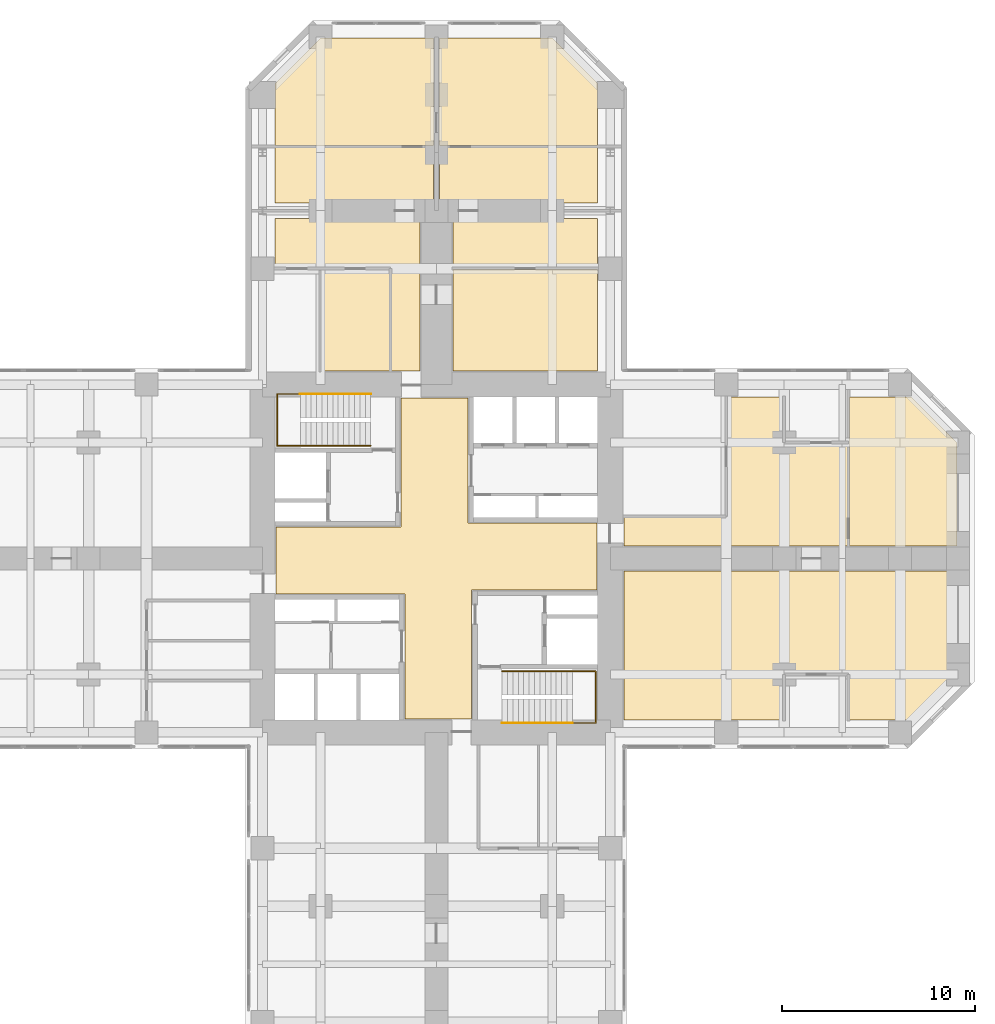
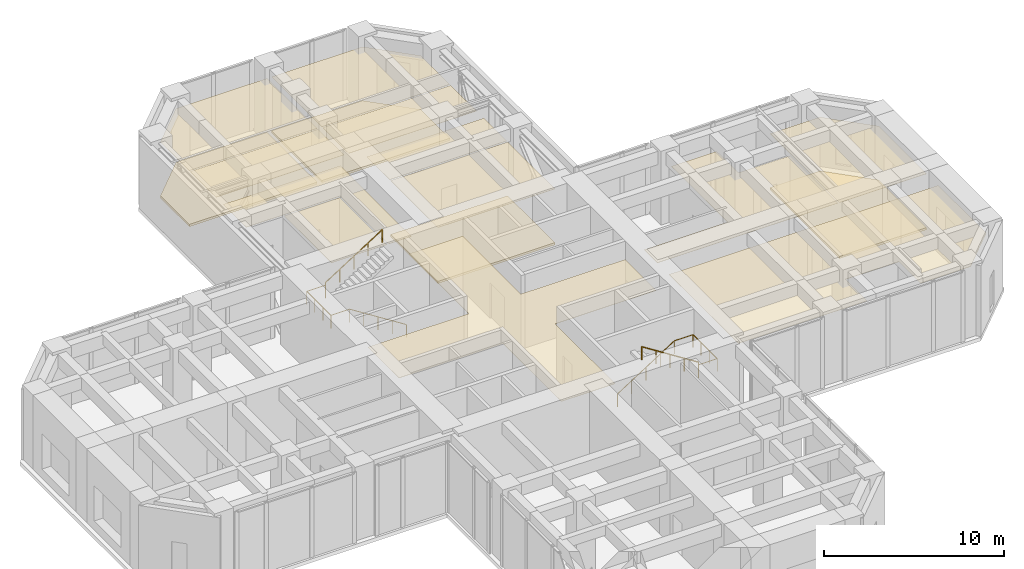
# One storey, part 11 of 11: 16 coverings, 4 railings.
"""IFC4 building model written with IfcOpenShell, lengths in metres."""

from ifc_helpers import new_model, si_unit, direction, frame, origin, origin_2d, place, context, subcontext, project, spatial, polyline, circle, outline, extrude, material, layer, layer_set, constituent, constituent_set, type_object, element, save


model = new_model("IFC4")

# Units and contexts
model_context = context("Model", 3, precision=1e-05, world=origin(), true_north=direction((0.0, 1.0)))
body_context = subcontext(model_context, "Body", "Model", "MODEL_VIEW")
ifc_project = project(units=[si_unit("LENGTHUNIT", "METRE"), si_unit("AREAUNIT", "SQUARE_METRE"), si_unit("VOLUMEUNIT", "CUBIC_METRE"), si_unit("PLANEANGLEUNIT", "RADIAN"), si_unit("MASSUNIT", "GRAM", prefix="KILO")], contexts=[model_context])

# Site, building, storey
site_placement = place(None, origin())
site = spatial("IfcSite", under=ifc_project, at=site_placement, CompositionType="ELEMENT")
building_placement = place(site_placement, origin())
building = spatial("IfcBuilding", under=site, at=building_placement, Name="Torre Cruceta", CompositionType="ELEMENT")
storey_placement = place(building_placement, frame((0.0, 0.0, 95.5)))
storey = spatial("IfcBuildingStorey", under=building, at=storey_placement, Name="L23", CompositionType="ELEMENT", Elevation=95.5)

# Railings
ifc_material_1 = material(Name="Stainless steel 1.4401", Category="steel")
railing_type = type_object("IfcRailingType", Name="HANDRAIL 900", PredefinedType="HANDRAIL", material=ifc_material_1)
railing_1_placement = place(storey_placement, frame((-3.39990234375, 5.8349609375, 0.178466796875)))
element("IfcRailing", 1, at=railing_1_placement, inside=storey, type_object=railing_type, Name="Handrail HR1 ST1 L23", PredefinedType="HANDRAIL", context=body_context, shape_type="SweptSolid", body=[
    extrude(circle(Radius=0.02392578125, at=origin_2d()), frame((0.0, 0.0, 0.8759765625), z_axis=(-0.843127859045, 0.0, 0.537713132908), x_axis=(0.0, -1.0, 0.0)), (0.0, 0.0, 1.0), 4.3173828125),
    extrude(circle(Radius=0.02392578125, at=origin_2d()), frame((-3.64013671875, 0.0, 3.197265625), z_axis=(-1.0, 0.0, 0.0), x_axis=(0.0, -1.0, 0.0)), (0.0, 0.0, 1.0), 1.199951171875),
    extrude(circle(Radius=0.02392578125, at=origin_2d()), frame((-4.840087890625, 0.0, 3.197265625), z_axis=(0.0, 1.0, 0.0), x_axis=(-1.0, 0.0, 0.0)), (0.0, 0.0, 1.0), 2.679931640625),
    extrude(circle(Radius=0.02392578125, at=origin_2d()), frame((-4.840087890625, 2.679931640625, 3.197265625), z_axis=(1.0, 0.0, 0.0), x_axis=(0.0, 1.0, 0.0)), (0.0, 0.0, 1.0), 1.199951171875),
    extrude(circle(Radius=0.02099609375, at=origin_2d()), origin(), (0.0, 0.0, 1.0), 0.851806640625),
    extrude(circle(Radius=0.02099609375, at=origin_2d()), frame((-0.91015625, 0.0, 0.580322265625)), (0.0, 0.0, 1.0), 0.851806640625),
    extrude(circle(Radius=0.02099609375, at=origin_2d()), frame((-1.820068359375, 0.0, 1.16064453125)), (0.0, 0.0, 1.0), 0.851806640625),
    extrude(circle(Radius=0.02099609375, at=origin_2d()), frame((-2.72998046875, 0.0, 1.7412109375)), (0.0, 0.0, 1.0), 0.851806640625),
    extrude(circle(Radius=0.02099609375, at=origin_2d()), frame((-3.64013671875, 0.0, 2.321533203125)), (0.0, 0.0, 1.0), 0.851806640625),
    extrude(circle(Radius=0.02099609375, at=origin_2d()), frame((-4.840087890625, 0.0, 2.321533203125)), (0.0, 0.0, 1.0), 0.851806640625),
    extrude(circle(Radius=0.02099609375, at=origin_2d()), frame((-4.840087890625, 0.893310546875, 2.321533203125)), (0.0, 0.0, 1.0), 0.851806640625),
    extrude(circle(Radius=0.02099609375, at=origin_2d()), frame((-4.840087890625, 1.78662109375, 2.321533203125)), (0.0, 0.0, 1.0), 0.851806640625),
    extrude(circle(Radius=0.02099609375, at=origin_2d()), frame((-4.840087890625, 2.679931640625, 2.321533203125)), (0.0, 0.0, 1.0), 0.851806640625),
    extrude(circle(Radius=0.02099609375, at=origin_2d()), frame((-3.64013671875, 2.679931640625, 2.321533203125)), (0.0, 0.0, 1.0), 0.851806640625),
])
railing_2_placement = place(storey_placement, frame((-7.0400390625, 8.514892578125, 2.678466796875)))
element("IfcRailing", 2, at=railing_2_placement, inside=storey, type_object=railing_type, Name="Handrail HR1 ST1 L23", PredefinedType="HANDRAIL", context=body_context, shape_type="SweptSolid", body=[
    extrude(circle(Radius=0.02392578125, at=origin_2d()), frame((0.0, 0.0, 0.8759765625), z_axis=(0.843127859045, 0.0, 0.537713132908), x_axis=(0.0, 1.0, 0.0)), (0.0, 0.0, 1.0), 4.3173828125),
    extrude(circle(Radius=0.02099609375, at=origin_2d()), origin(), (0.0, 0.0, 1.0), 0.851806640625),
    extrude(circle(Radius=0.02099609375, at=origin_2d()), frame((0.91015625, 0.0, 0.580322265625)), (0.0, 0.0, 1.0), 0.851806640625),
    extrude(circle(Radius=0.02099609375, at=origin_2d()), frame((1.820068359375, 0.0, 1.16064453125)), (0.0, 0.0, 1.0), 0.851806640625),
    extrude(circle(Radius=0.02099609375, at=origin_2d()), frame((2.72998046875, 0.0, 1.7412109375)), (0.0, 0.0, 1.0), 0.851806640625),
    extrude(circle(Radius=0.02099609375, at=origin_2d()), frame((3.64013671875, 0.0, 2.321533203125)), (0.0, 0.0, 1.0), 0.851806640625),
])
railing_3_placement = place(storey_placement, frame((3.39990234375, -5.8349609375, 0.178466796875)))
element("IfcRailing", 3, at=railing_3_placement, inside=storey, type_object=railing_type, Name="Handrail HR1 ST2 L23", PredefinedType="HANDRAIL", context=body_context, shape_type="SweptSolid", body=[
    extrude(circle(Radius=0.02392578125, at=origin_2d()), frame((0.0, 0.0, 0.8759765625), z_axis=(0.843127859045, 0.0, 0.537713132908), x_axis=(0.0, 1.0, 0.0)), (0.0, 0.0, 1.0), 4.3173828125),
    extrude(circle(Radius=0.02392578125, at=origin_2d()), frame((3.64013671875, 0.0, 3.197265625), z_axis=(1.0, 0.0, 0.0), x_axis=(0.0, 1.0, 0.0)), (0.0, 0.0, 1.0), 1.199951171875),
    extrude(circle(Radius=0.02392578125, at=origin_2d()), frame((4.840087890625, 0.0, 3.197265625), z_axis=(0.0, -1.0, 0.0), x_axis=(1.0, 0.0, 0.0)), (0.0, 0.0, 1.0), 2.679931640625),
    extrude(circle(Radius=0.02392578125, at=origin_2d()), frame((4.840087890625, -2.679931640625, 3.197265625), z_axis=(-1.0, 0.0, 0.0), x_axis=(0.0, -1.0, 0.0)), (0.0, 0.0, 1.0), 1.199951171875),
    extrude(circle(Radius=0.02099609375, at=origin_2d()), origin(), (0.0, 0.0, 1.0), 0.851806640625),
    extrude(circle(Radius=0.02099609375, at=origin_2d()), frame((0.91015625, 0.0, 0.580322265625)), (0.0, 0.0, 1.0), 0.851806640625),
    extrude(circle(Radius=0.02099609375, at=origin_2d()), frame((1.820068359375, 0.0, 1.16064453125)), (0.0, 0.0, 1.0), 0.851806640625),
    extrude(circle(Radius=0.02099609375, at=origin_2d()), frame((2.72998046875, 0.0, 1.7412109375)), (0.0, 0.0, 1.0), 0.851806640625),
    extrude(circle(Radius=0.02099609375, at=origin_2d()), frame((3.64013671875, 0.0, 2.321533203125)), (0.0, 0.0, 1.0), 0.851806640625),
    extrude(circle(Radius=0.02099609375, at=origin_2d()), frame((4.840087890625, 0.0, 2.321533203125)), (0.0, 0.0, 1.0), 0.851806640625),
    extrude(circle(Radius=0.02099609375, at=origin_2d()), frame((4.840087890625, -0.893310546875, 2.321533203125)), (0.0, 0.0, 1.0), 0.851806640625),
    extrude(circle(Radius=0.02099609375, at=origin_2d()), frame((4.840087890625, -1.78662109375, 2.321533203125)), (0.0, 0.0, 1.0), 0.851806640625),
    extrude(circle(Radius=0.02099609375, at=origin_2d()), frame((4.840087890625, -2.679931640625, 2.321533203125)), (0.0, 0.0, 1.0), 0.851806640625),
    extrude(circle(Radius=0.02099609375, at=origin_2d()), frame((3.64013671875, -2.679931640625, 2.321533203125)), (0.0, 0.0, 1.0), 0.851806640625),
])
railing_4_placement = place(storey_placement, frame((7.0400390625, -8.514892578125, 2.678466796875)))
element("IfcRailing", 4, at=railing_4_placement, inside=storey, type_object=railing_type, Name="Handrail HR1 ST2 L23", PredefinedType="HANDRAIL", context=body_context, shape_type="SweptSolid", body=[
    extrude(circle(Radius=0.02392578125, at=origin_2d()), frame((0.0, 0.0, 0.8759765625), z_axis=(-0.843127859045, 0.0, 0.537713132908), x_axis=(0.0, -1.0, 0.0)), (0.0, 0.0, 1.0), 4.3173828125),
    extrude(circle(Radius=0.02099609375, at=origin_2d()), origin(), (0.0, 0.0, 1.0), 0.851806640625),
    extrude(circle(Radius=0.02099609375, at=origin_2d()), frame((-0.91015625, 0.0, 0.580322265625)), (0.0, 0.0, 1.0), 0.851806640625),
    extrude(circle(Radius=0.02099609375, at=origin_2d()), frame((-1.820068359375, 0.0, 1.16064453125)), (0.0, 0.0, 1.0), 0.851806640625),
    extrude(circle(Radius=0.02099609375, at=origin_2d()), frame((-2.72998046875, 0.0, 1.7412109375)), (0.0, 0.0, 1.0), 0.851806640625),
    extrude(circle(Radius=0.02099609375, at=origin_2d()), frame((-3.64013671875, 0.0, 2.321533203125)), (0.0, 0.0, 1.0), 0.851806640625),
])

# Coverings
ifc_material_2 = material(Name="Steel DX51D", Category="steel")
ifc_constituent_1 = constituent(ifc_material_2, Name="Panel casing")
ifc_material_3 = material(Name="Calcium sulphate", Category="gypsum")
ifc_constituent_2 = constituent(ifc_material_3, Name="Panel core")
ifc_constituent_set = constituent_set(constituents=[ifc_constituent_1, ifc_constituent_2], Name="Raised access floor panel")
covering_type_1 = type_object("IfcCoveringType", Name="RAISED ACCESS FLOOR 150", PredefinedType="FLOORING", material=ifc_constituent_set)
covering_1_placement = place(storey_placement, origin())
element("IfcCovering", 5, at=covering_1_placement, inside=storey, type_object=covering_type_1, Name="Raised floor L23-025", PredefinedType="FLOORING", context=body_context, shape_type="SweptSolid", body=[
    extrude(outline(polyline([(8.35009765625, 9.699951171875), (0.85009765625, 9.699951171875), (0.85009765625, 14.949951171875), (8.35009765625, 14.949951171875), (8.35009765625, 9.699951171875)])), origin(), (0.0, 0.0, 1.0), 0.14990234375),
])
covering_2_placement = place(storey_placement, origin())
element("IfcCovering", 6, at=covering_2_placement, inside=storey, type_object=covering_type_1, Name="Raised floor L23-026", PredefinedType="FLOORING", context=body_context, shape_type="SweptSolid", body=[
    extrude(outline(polyline([(-0.14990234375, 26.949951171875), (-0.14990234375, 21.3701171875), (-8.35009765625, 21.3701171875), (-8.35009765625, 24.579345703125), (-5.979248046875, 26.949951171875), (-0.14990234375, 26.949951171875)])), origin(), (0.0, 0.0, 1.0), 0.14990234375),
])
covering_3_placement = place(storey_placement, origin())
element("IfcCovering", 7, at=covering_3_placement, inside=storey, type_object=covering_type_1, Name="Raised floor L23-027", PredefinedType="FLOORING", context=body_context, shape_type="SweptSolid", body=[
    extrude(outline(polyline([(8.35009765625, 24.579345703125), (8.35009765625, 21.3701171875), (0.14990234375, 21.3701171875), (0.14990234375, 26.949951171875), (5.979248046875, 26.949951171875), (8.35009765625, 24.579345703125)])), origin(), (0.0, 0.0, 1.0), 0.14990234375),
])
covering_4_placement = place(storey_placement, origin())
element("IfcCovering", 8, at=covering_4_placement, inside=storey, type_object=covering_type_1, Name="Raised floor L23-032", PredefinedType="FLOORING", context=body_context, shape_type="SweptSolid", body=[
    extrude(outline(polyline([(26.949951171875, 0.64990234375), (21.3701171875, 0.64990234375), (21.3701171875, 8.35009765625), (24.579345703125, 8.35009765625), (26.949951171875, 5.979248046875), (26.949951171875, 0.64990234375)])), origin(), (0.0, 0.0, 1.0), 0.14990234375),
])
ifc_material_4 = material(Name="Mineral fibre ceiling tile", Category="gypsum")
ifc_layer = layer(ifc_material_4, 0.02001953125)
ifc_layer_set = layer_set([ifc_layer], Name="Mineral fibre ceiling tile")
covering_type_2 = type_object("IfcCoveringType", Name="SUSPENDED CEILING 20", PredefinedType="CEILING", material=ifc_layer_set)
covering_5_placement = place(storey_placement, frame((0.0, 0.0, 3.780029296875)))
element("IfcCovering", 9, at=covering_5_placement, inside=storey, type_object=covering_type_2, Name="Ceiling L23-001", PredefinedType="CEILING", context=body_context, shape_type="SweptSolid", body=[
    extrude(outline(polyline([(-1.625, -8.300048828125), (-1.625, -1.824951171875), (-8.300048828125, -1.824951171875), (-8.300048828125, 1.625), (-1.824951171875, 1.625), (-1.824951171875, 8.300048828125), (1.625, 8.300048828125), (1.625, 1.824951171875), (8.300048828125, 1.824951171875), (8.300048828125, -1.625), (1.824951171875, -1.625), (1.824951171875, -8.300048828125), (-1.625, -8.300048828125)])), origin(), (0.0, 0.0, 1.0), 0.02001953125),
])
covering_6_placement = place(storey_placement, frame((0.0, 0.0, 3.780029296875)))
element("IfcCovering", 10, at=covering_6_placement, inside=storey, type_object=covering_type_2, Name="Ceiling L23-023", PredefinedType="CEILING", context=body_context, shape_type="SweptSolid", body=[
    extrude(outline(polyline([(-2.425048828125, 9.699951171875), (-5.9716796875, 9.699951171875), (-5.9716796875, 14.949951171875), (-2.425048828125, 14.949951171875), (-2.425048828125, 9.699951171875)])), origin(), (0.0, 0.0, 1.0), 0.02001953125),
])
covering_7_placement = place(storey_placement, frame((0.0, 0.0, 3.780029296875)))
element("IfcCovering", 11, at=covering_7_placement, inside=storey, type_object=covering_type_2, Name="Ceiling L23-025", PredefinedType="CEILING", context=body_context, shape_type="SweptSolid", body=[
    extrude(outline(polyline([(8.35009765625, 9.699951171875), (0.85009765625, 9.699951171875), (0.85009765625, 14.949951171875), (8.35009765625, 14.949951171875), (8.35009765625, 9.699951171875)])), origin(), (0.0, 0.0, 1.0), 0.02001953125),
])
covering_8_placement = place(storey_placement, frame((0.0, 0.0, 3.780029296875)))
element("IfcCovering", 12, at=covering_8_placement, inside=storey, type_object=covering_type_2, Name="Ceiling L23-026", PredefinedType="CEILING", context=body_context, shape_type="SweptSolid", body=[
    extrude(outline(polyline([(-0.14990234375, 26.949951171875), (-0.14990234375, 21.3701171875), (-8.35009765625, 21.3701171875), (-8.35009765625, 24.579345703125), (-5.979248046875, 26.949951171875), (-0.14990234375, 26.949951171875)])), origin(), (0.0, 0.0, 1.0), 0.02001953125),
])
covering_9_placement = place(storey_placement, frame((0.0, 0.0, 3.780029296875)))
element("IfcCovering", 13, at=covering_9_placement, inside=storey, type_object=covering_type_2, Name="Ceiling L23-027", PredefinedType="CEILING", context=body_context, shape_type="SweptSolid", body=[
    extrude(outline(polyline([(8.35009765625, 24.579345703125), (8.35009765625, 21.3701171875), (0.14990234375, 21.3701171875), (0.14990234375, 26.949951171875), (5.979248046875, 26.949951171875), (8.35009765625, 24.579345703125)])), origin(), (0.0, 0.0, 1.0), 0.02001953125),
])
covering_10_placement = place(storey_placement, frame((0.0, 0.0, 3.780029296875)))
element("IfcCovering", 14, at=covering_10_placement, inside=storey, type_object=covering_type_2, Name="Ceiling L23-028", PredefinedType="CEILING", context=body_context, shape_type="SweptSolid", body=[
    extrude(outline(polyline([(-2.324951171875, 9.699951171875), (-2.324951171875, 15.050048828125), (-8.35009765625, 15.050048828125), (-8.35009765625, 17.60009765625), (-0.85009765625, 17.60009765625), (-0.85009765625, 9.699951171875), (-2.324951171875, 9.699951171875)])), origin(), (0.0, 0.0, 1.0), 0.02001953125),
])
covering_11_placement = place(storey_placement, frame((0.0, 0.0, 3.780029296875)))
element("IfcCovering", 15, at=covering_11_placement, inside=storey, type_object=covering_type_2, Name="Ceiling L23-029", PredefinedType="CEILING", context=body_context, shape_type="SweptSolid", body=[
    extrude(outline(polyline([(8.35009765625, 17.60009765625), (8.35009765625, 15.050048828125), (0.85009765625, 15.050048828125), (0.85009765625, 17.60009765625), (8.35009765625, 17.60009765625)])), origin(), (0.0, 0.0, 1.0), 0.02001953125),
])
covering_12_placement = place(storey_placement, frame((0.0, 0.0, 3.780029296875)))
element("IfcCovering", 16, at=covering_12_placement, inside=storey, type_object=covering_type_2, Name="Ceiling L23-030", PredefinedType="CEILING", context=body_context, shape_type="SweptSolid", body=[
    extrude(outline(polyline([(-0.14990234375, 21.27001953125), (-0.14990234375, 18.39990234375), (-8.35009765625, 18.39990234375), (-8.35009765625, 21.27001953125), (-0.14990234375, 21.27001953125)])), origin(), (0.0, 0.0, 1.0), 0.02001953125),
])
covering_13_placement = place(storey_placement, frame((0.0, 0.0, 3.780029296875)))
element("IfcCovering", 17, at=covering_13_placement, inside=storey, type_object=covering_type_2, Name="Ceiling L23-031", PredefinedType="CEILING", context=body_context, shape_type="SweptSolid", body=[
    extrude(outline(polyline([(8.35009765625, 21.27001953125), (8.35009765625, 18.39990234375), (0.14990234375, 18.39990234375), (0.14990234375, 21.27001953125), (8.35009765625, 21.27001953125)])), origin(), (0.0, 0.0, 1.0), 0.02001953125),
])
covering_14_placement = place(storey_placement, frame((0.0, 0.0, 3.780029296875)))
element("IfcCovering", 18, at=covering_14_placement, inside=storey, type_object=covering_type_2, Name="Ceiling L23-032", PredefinedType="CEILING", context=body_context, shape_type="SweptSolid", body=[
    extrude(outline(polyline([(26.949951171875, 0.64990234375), (21.3701171875, 0.64990234375), (21.3701171875, 8.35009765625), (24.579345703125, 8.35009765625), (26.949951171875, 5.979248046875), (26.949951171875, 0.64990234375)])), origin(), (0.0, 0.0, 1.0), 0.02001953125),
])
covering_15_placement = place(storey_placement, frame((0.0, 0.0, 3.780029296875)))
element("IfcCovering", 19, at=covering_15_placement, inside=storey, type_object=covering_type_2, Name="Ceiling L23-036", PredefinedType="CEILING", context=body_context, shape_type="SweptSolid", body=[
    extrude(outline(polyline([(9.699951171875, 2.125), (15.050048828125, 2.125), (15.050048828125, 8.35009765625), (17.949951171875, 8.35009765625), (17.949951171875, 5.949951171875), (21.27001953125, 5.949951171875), (21.27001953125, 0.64990234375), (9.699951171875, 0.64990234375), (9.699951171875, 2.125)])), origin(), (0.0, 0.0, 1.0), 0.02001953125),
])
covering_16_placement = place(storey_placement, frame((0.0, 0.0, 3.780029296875)))
element("IfcCovering", 20, at=covering_16_placement, inside=storey, type_object=covering_type_2, Name="Ceiling L23-037", PredefinedType="CEILING", context=body_context, shape_type="SweptSolid", body=[
    extrude(outline(polyline([(17.949951171875, -5.949951171875), (17.949951171875, -8.35009765625), (9.699951171875, -8.35009765625), (9.699951171875, -0.64990234375), (26.949951171875, -0.64990234375), (26.949951171875, -5.979248046875), (24.579345703125, -8.35009765625), (21.3701171875, -8.35009765625), (21.3701171875, -5.949951171875), (17.949951171875, -5.949951171875)])), origin(), (0.0, 0.0, 1.0), 0.02001953125),
])

save(model, "model.ifc")
